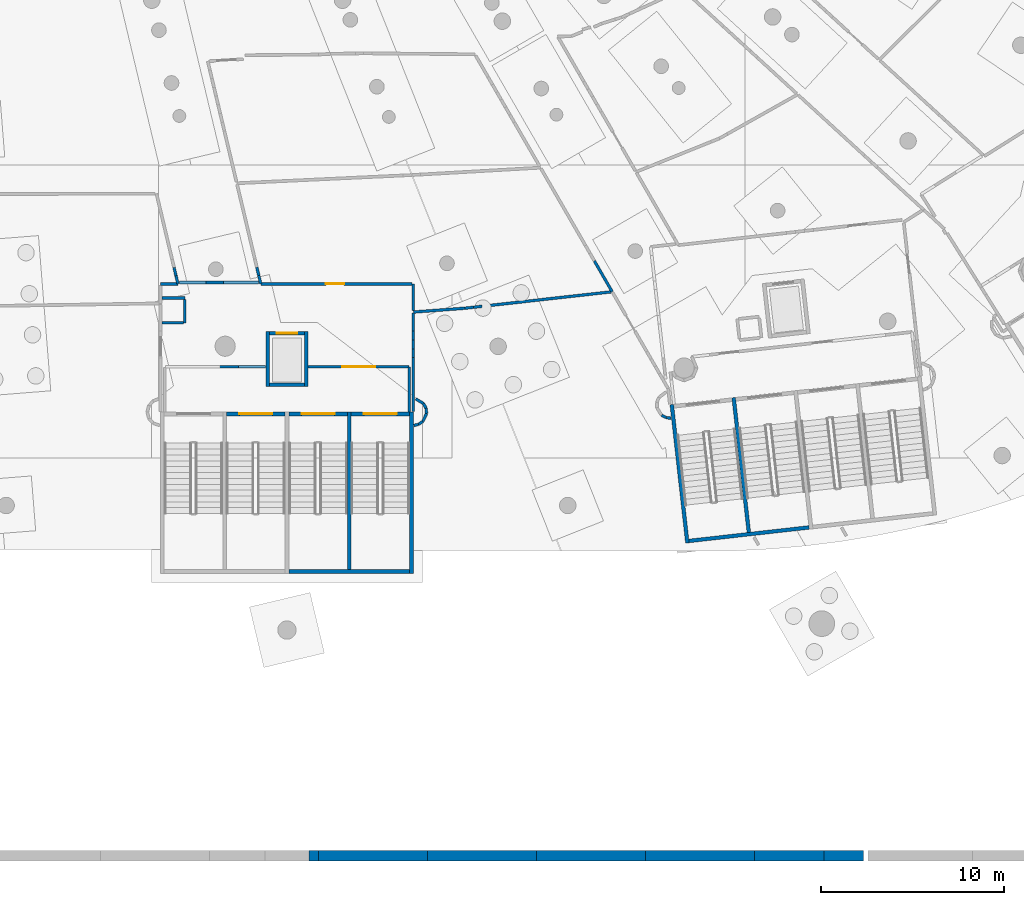
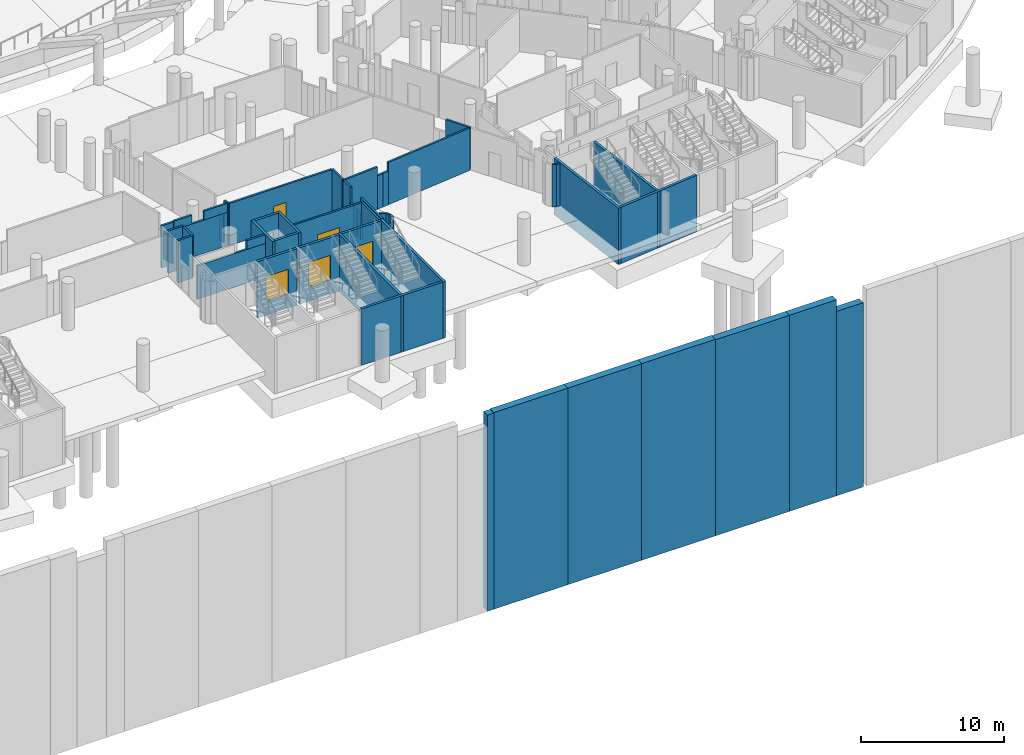
# One storey, part 51 of 142: 55 walls, 6 doors, 6 openings.
"""IFC4 building model written with IfcOpenShell, lengths in metres."""

from ifc_helpers import new_model, si_unit, direction, frame, frame_2d, origin, place, context, subcontext, project, spatial, rectangle, extrude, material, layer, layer_set, type_object, element, fill, save


model = new_model("IFC4")

# Units and contexts
model_context = context("Model", 3, precision=1e-05, world=origin(), true_north=direction((0.0, 1.0)))
body_context = subcontext(model_context, "Body", "Model", "MODEL_VIEW")
ifc_project = project(units=[si_unit("LENGTHUNIT", "METRE"), si_unit("AREAUNIT", "SQUARE_METRE"), si_unit("VOLUMEUNIT", "CUBIC_METRE"), si_unit("PLANEANGLEUNIT", "RADIAN"), si_unit("MASSUNIT", "GRAM", prefix="KILO")], contexts=[model_context])

# Site, building, storey
site_placement = place(None, origin())
site = spatial("IfcSite", under=ifc_project, at=site_placement, CompositionType="ELEMENT")
building_placement = place(site_placement, origin())
building = spatial("IfcBuilding", under=site, at=building_placement, Name="Meseta Stadium", CompositionType="ELEMENT")
storey_placement = place(building_placement, frame((0.0, 0.0, -4.0)))
storey = spatial("IfcBuildingStorey", under=building, at=storey_placement, Name="B1", CompositionType="ELEMENT", Elevation=-4.0)

# Walls
ifc_material_1 = material(Name="Concrete C40/50", Category="concrete")
ifc_layer_1 = layer(ifc_material_1, 0.199951171875)
ifc_layer_set_1 = layer_set([ifc_layer_1], Name="Core divider wall 200")
wall_type_1 = type_object("IfcWallType", Name="Core divider wall 200", PredefinedType="SHEAR", material=ifc_layer_set_1)
wall_1_placement = place(storey_placement, frame((26.39990234375, -102.300048828125, -1.199951171875), z_axis=(0.0, 0.0, 1.0), x_axis=(0.0, 1.0, 0.0)))
element("IfcWall", 1, at=wall_1_placement, inside=storey, type_object=wall_type_1, Name="Core 25 B1 stair B divider wall", PredefinedType="SHEAR", context=body_context, shape_type="SweptSolid", body=[
    extrude(rectangle(XDim=8.800048828125, YDim=0.199951171875, at=frame_2d((4.39990234375, 0.0))), origin(), (0.0, 0.0, 1.0), 4.800048828125),
])
wall_2_placement = place(storey_placement, frame((48.241943359375, -100.264892578125, -1.199951171875), z_axis=(0.0, 0.0, 1.0), x_axis=(-0.111954577255, 0.993713325176, 0.0)))
element("IfcWall", 2, at=wall_2_placement, inside=storey, type_object=wall_type_1, Name="Core 26 B1 stair A divider wall", PredefinedType="SHEAR", context=body_context, shape_type="SweptSolid", body=[
    extrude(rectangle(XDim=7.599853515625, YDim=0.199951171875, at=frame_2d((3.7998046875, 0.0))), origin(), (0.0, 0.0, 1.0), 4.800048828125),
])
ifc_material_2 = material(Name="Concrete C40/50", Category="concrete")
ifc_layer_2 = layer(ifc_material_2, 0.199951171875)
ifc_layer_set_2 = layer_set([ifc_layer_2], Name="Core shaft wall 200")
wall_type_2 = type_object("IfcWallType", Name="Core shaft wall 200", PredefinedType="SHEAR", material=ifc_layer_set_2)
wall_3_placement = place(storey_placement, frame((29.800048828125, -102.300048828125, -1.199951171875), z_axis=(0.0, 0.0, 1.0), x_axis=(0.0, 1.0, 0.0)))
element("IfcWall", 3, at=wall_3_placement, inside=storey, type_object=wall_type_2, Name="Core 25 B1 stair wall B-side", PredefinedType="SHEAR", context=body_context, shape_type="SweptSolid", body=[
    extrude(rectangle(XDim=8.800048828125, YDim=0.199951171875, at=frame_2d((4.39990234375, 0.0))), origin(), (0.0, 0.0, 1.0), 4.800048828125),
])
wall_4_placement = place(storey_placement, frame((23.10009765625, -102.199951171875, -1.199951171875), z_axis=(0.0, 0.0, 1.0), x_axis=(1.0, 0.0, 0.0)))
element("IfcWall", 4, at=wall_4_placement, inside=storey, type_object=wall_type_2, Name="Core 25 B1 stair B outer end wall", PredefinedType="SHEAR", context=body_context, shape_type="SweptSolid", body=[
    extrude(rectangle(XDim=6.599853515625, YDim=0.199951171875, at=frame_2d((3.2998046875, 0.0))), origin(), (0.0, 0.0, 1.0), 4.800048828125),
])

# Wall, opening, door
wall_5_placement = place(storey_placement, frame((19.699951171875, -93.60009765625, -1.199951171875), z_axis=(0.0, 0.0, 1.0), x_axis=(1.0, 0.0, 0.0)))
wall_5 = element("IfcWall", 5, at=wall_5_placement, inside=storey, type_object=wall_type_2, Name="Core 25 B1 stair A2 inner end wall", PredefinedType="SHEAR", context=body_context, shape_type="SweptSolid", body=[
    extrude(rectangle(XDim=3.199951171875, YDim=0.199951171875, at=frame_2d((1.60009765625, 0.0))), origin(), (0.0, 0.0, 1.0), 4.800048828125),
])
opening_1_placement = place(wall_5_placement, frame((0.699951171875, 0.0, 1.199951171875)))
opening_1 = element("IfcOpeningElement", 6, at=opening_1_placement, cuts=wall_5, Name="Opening D330", PredefinedType="OPENING", context=body_context, shape_type="SweptSolid", body=[
    extrude(rectangle(XDim=1.800048828125, YDim=2.10009765625, at=frame_2d((0.89990234375, 1.050048828125))), frame((0.0, 0.10986328125, 0.0), z_axis=(0.0, -1.0, 0.0), x_axis=(1.0, 0.0, 0.0)), (0.0, 0.0, 1.0), 0.219970703125),
])
ifc_material_3 = material(Name="Steel", Category="steel")
door_type_1 = type_object("IfcDoorType", Name="Stair door 1800x2100", OperationType="DOUBLE_DOOR_SINGLE_SWING", PredefinedType="DOOR", material=ifc_material_3)
door_1_placement = place(opening_1_placement, origin())
door_1 = element("IfcDoor", 7, at=door_1_placement, inside=storey, type_object=door_type_1, Name="Stair A2 door 25 B1", OperationType="DOUBLE_DOOR_SINGLE_SWING", OverallHeight=2.10009765625, OverallWidth=1.800048828125, PredefinedType="DOOR", context=body_context, shape_type="SweptSolid", body=[
    extrude(rectangle(XDim=1.800048828125, YDim=2.10009765625, at=frame_2d((0.89990234375, 1.050048828125))), frame((0.0, 0.02490234375, 0.0), z_axis=(0.0, -1.0, 0.0), x_axis=(1.0, 0.0, 0.0)), (0.0, 0.0, 1.0), 0.050048828125),
])
fill(opening_1, door_1)

wall_6_placement = place(storey_placement, frame((23.10009765625, -93.60009765625, -1.199951171875), z_axis=(0.0, 0.0, 1.0), x_axis=(1.0, 0.0, 0.0)))
wall_6 = element("IfcWall", 8, at=wall_6_placement, inside=storey, type_object=wall_type_2, Name="Core 25 B1 stair B1 inner end wall", PredefinedType="SHEAR", context=body_context, shape_type="SweptSolid", body=[
    extrude(rectangle(XDim=3.199951171875, YDim=0.199951171875, at=frame_2d((1.60009765625, 0.0))), origin(), (0.0, 0.0, 1.0), 4.800048828125),
])
opening_2_placement = place(wall_6_placement, frame((0.699951171875, 0.0, 1.199951171875)))
opening_2 = element("IfcOpeningElement", 9, at=opening_2_placement, cuts=wall_6, Name="Opening D331", PredefinedType="OPENING", context=body_context, shape_type="SweptSolid", body=[
    extrude(rectangle(XDim=1.800048828125, YDim=2.10009765625, at=frame_2d((0.89990234375, 1.050048828125))), frame((0.0, 0.10986328125, 0.0), z_axis=(0.0, -1.0, 0.0), x_axis=(1.0, 0.0, 0.0)), (0.0, 0.0, 1.0), 0.219970703125),
])
door_2_placement = place(opening_2_placement, origin())
door_2 = element("IfcDoor", 10, at=door_2_placement, inside=storey, type_object=door_type_1, Name="Stair B1 door 25 B1", OperationType="DOUBLE_DOOR_SINGLE_SWING", OverallHeight=2.10009765625, OverallWidth=1.800048828125, PredefinedType="DOOR", context=body_context, shape_type="SweptSolid", body=[
    extrude(rectangle(XDim=1.800048828125, YDim=2.10009765625, at=frame_2d((0.89990234375, 1.050048828125))), frame((0.0, 0.02490234375, 0.0), z_axis=(0.0, -1.0, 0.0), x_axis=(1.0, 0.0, 0.0)), (0.0, 0.0, 1.0), 0.050048828125),
])
fill(opening_2, door_2)

wall_7_placement = place(storey_placement, frame((26.5, -93.60009765625, -1.199951171875), z_axis=(0.0, 0.0, 1.0), x_axis=(1.0, 0.0, 0.0)))
wall_7 = element("IfcWall", 11, at=wall_7_placement, inside=storey, type_object=wall_type_2, Name="Core 25 B1 stair B2 inner end wall", PredefinedType="SHEAR", context=body_context, shape_type="SweptSolid", body=[
    extrude(rectangle(XDim=3.199951171875, YDim=0.199951171875, at=frame_2d((1.60009765625, 0.0))), origin(), (0.0, 0.0, 1.0), 4.800048828125),
])
opening_3_placement = place(wall_7_placement, frame((0.699951171875, 0.0, 1.199951171875)))
opening_3 = element("IfcOpeningElement", 12, at=opening_3_placement, cuts=wall_7, Name="Opening D332", PredefinedType="OPENING", context=body_context, shape_type="SweptSolid", body=[
    extrude(rectangle(XDim=1.800048828125, YDim=2.10009765625, at=frame_2d((0.89990234375, 1.050048828125))), frame((0.0, 0.10986328125, 0.0), z_axis=(0.0, -1.0, 0.0), x_axis=(1.0, 0.0, 0.0)), (0.0, 0.0, 1.0), 0.219970703125),
])
door_3_placement = place(opening_3_placement, origin())
door_3 = element("IfcDoor", 13, at=door_3_placement, inside=storey, type_object=door_type_1, Name="Stair B2 door 25 B1", OperationType="DOUBLE_DOOR_SINGLE_SWING", OverallHeight=2.10009765625, OverallWidth=1.800048828125, PredefinedType="DOOR", context=body_context, shape_type="SweptSolid", body=[
    extrude(rectangle(XDim=1.800048828125, YDim=2.10009765625, at=frame_2d((0.89990234375, 1.050048828125))), frame((0.0, 0.02490234375, 0.0), z_axis=(0.0, -1.0, 0.0), x_axis=(1.0, 0.0, 0.0)), (0.0, 0.0, 1.0), 0.050048828125),
])
fill(opening_3, door_3)

# Walls
for number, where, z_axis, x_axis, name in (
    (14, (21.949951171875, -92.10009765625, -1.199951171875), (0.0, 0.0, 1.0), (0.0, 1.0, 0.0), "Core 25 B1 lift shaft wall left"),
    (15, (24.050048828125, -92.10009765625, -1.199951171875), (0.0, 0.0, 1.0), (0.0, 1.0, 0.0), "Core 25 B1 lift shaft wall right"),
):
    element("IfcWall", number, at=place(storey_placement, frame(where, z_axis=z_axis, x_axis=x_axis)), inside=storey, type_object=wall_type_2, Name=name, PredefinedType="SHEAR", context=body_context, shape_type="SweptSolid", body=[
        extrude(rectangle(XDim=3.0, YDim=0.199951171875, at=frame_2d((1.5, 0.0))), origin(), (0.0, 0.0, 1.0), 4.800048828125),
    ])
wall_8_placement = place(storey_placement, frame((22.050048828125, -92.0, -1.199951171875), z_axis=(0.0, 0.0, 1.0), x_axis=(1.0, 0.0, 0.0)))
element("IfcWall", 16, at=wall_8_placement, inside=storey, type_object=wall_type_2, Name="Core 25 B1 lift shaft back wall", PredefinedType="SHEAR", context=body_context, shape_type="SweptSolid", body=[
    extrude(rectangle(XDim=1.89990234375, YDim=0.199951171875, at=frame_2d((0.949951171875, 0.0))), origin(), (0.0, 0.0, 1.0), 4.800048828125),
])

# Wall, opening, door
wall_9_placement = place(storey_placement, frame((22.050048828125, -89.199951171875, -1.199951171875), z_axis=(0.0, 0.0, 1.0), x_axis=(1.0, 0.0, 0.0)))
wall_9 = element("IfcWall", 17, at=wall_9_placement, inside=storey, type_object=wall_type_2, Name="Core 25 B1 lift shaft front wall", PredefinedType="SHEAR", context=body_context, shape_type="SweptSolid", body=[
    extrude(rectangle(XDim=1.89990234375, YDim=0.199951171875, at=frame_2d((0.949951171875, 0.0))), origin(), (0.0, 0.0, 1.0), 4.800048828125),
])
opening_4_placement = place(wall_9_placement, frame((0.39990234375, 0.0, 1.199951171875)))
opening_4 = element("IfcOpeningElement", 18, at=opening_4_placement, cuts=wall_9, Name="Opening LD135", PredefinedType="OPENING", context=body_context, shape_type="SweptSolid", body=[
    extrude(rectangle(XDim=1.10009765625, YDim=2.10009765625, at=frame_2d((0.550048828125, 1.050048828125))), frame((0.0, 0.10986328125, 0.0), z_axis=(0.0, -1.0, 0.0), x_axis=(1.0, 0.0, 0.0)), (0.0, 0.0, 1.0), 0.219970703125),
])
ifc_material_4 = material(Name="Steel", Category="steel")
door_type_2 = type_object("IfcDoorType", Name="Lift landing door 1100x2100", OperationType="SLIDING_TO_LEFT", PredefinedType="DOOR", material=ifc_material_4)
door_4_placement = place(opening_4_placement, origin())
door_4 = element("IfcDoor", 19, at=door_4_placement, inside=storey, type_object=door_type_2, Name="Lift landing door LD135", OperationType="SLIDING_TO_LEFT", OverallHeight=2.10009765625, OverallWidth=1.10009765625, PredefinedType="DOOR", context=body_context, shape_type="SweptSolid", body=[
    extrude(rectangle(XDim=1.10009765625, YDim=2.10009765625, at=frame_2d((0.550048828125, 1.050048828125))), frame((0.0, 0.02490234375, 0.0), z_axis=(0.0, -1.0, 0.0), x_axis=(1.0, 0.0, 0.0)), (0.0, 0.0, 1.0), 0.050048828125),
])
fill(opening_4, door_4)

# Walls
wall_10_placement = place(storey_placement, frame((44.86328125, -100.645751953125, -1.199951171875), z_axis=(0.0, 0.0, 1.0), x_axis=(-0.111951003472, 0.993713727802, 0.0)))
element("IfcWall", 20, at=wall_10_placement, inside=storey, type_object=wall_type_2, Name="Core 26 B1 stair wall A-side", PredefinedType="SHEAR", context=body_context, shape_type="SweptSolid", body=[
    extrude(rectangle(XDim=7.60009765625, YDim=0.199951171875, at=frame_2d((3.800048828125, 0.0))), origin(), (0.0, 0.0, 1.0), 4.800048828125),
])
wall_11_placement = place(storey_placement, frame((44.951416015625, -100.53515625, -1.199951171875), z_axis=(0.0, 0.0, 1.0), x_axis=(0.993711575492, 0.111970106426, 0.0)))
element("IfcWall", 21, at=wall_11_placement, inside=storey, type_object=wall_type_2, Name="Core 26 B1 stair A outer end wall", PredefinedType="SHEAR", context=body_context, shape_type="SweptSolid", body=[
    extrude(rectangle(XDim=6.60009765625, YDim=0.199951171875, at=frame_2d((3.300048828125, 0.0))), origin(), (0.0, 0.0, 1.0), 4.800048828125),
])
ifc_material_5 = material(Name="Masonry blockwork", Category="masonry")
ifc_layer_3 = layer(ifc_material_5, 0.14990234375)
ifc_layer_set_3 = layer_set([ifc_layer_3], Name="Partition 150")
wall_type_3 = type_object("IfcWallType", Name="Partition 150", PredefinedType="PARTITIONING", material=ifc_layer_set_3)
wall_12_placement = place(storey_placement, frame((16.8349609375, -85.605224609375, 0.0), z_axis=(0.0, 0.0, 1.0), x_axis=(0.231524805806, -0.972829000542, 0.0)))
element("IfcWall", 22, at=wall_12_placement, inside=storey, type_object=wall_type_3, Name="Partition B1 B1-cell23-1-0", PredefinedType="PARTITIONING", context=body_context, shape_type="SweptSolid", body=[
    extrude(rectangle(XDim=0.459716796875, YDim=0.14990234375, at=frame_2d((0.22998046875, 0.0))), origin(), (0.0, 0.0, 1.0), 2.300048828125),
])
wall_13_placement = place(storey_placement, frame((16.94140625, -86.052490234375, 0.0), z_axis=(0.0, 0.0, 1.0), x_axis=(0.231907494809, -0.972737844361, 0.0)))
element("IfcWall", 23, at=wall_13_placement, inside=storey, type_object=wall_type_3, Name="Partition B1 B1-cell23-1-0", PredefinedType="PARTITIONING", context=body_context, shape_type="SweptSolid", body=[
    extrude(rectangle(XDim=0.4599609375, YDim=0.14990234375, at=frame_2d((0.22998046875, 0.0))), origin(), (0.0, 0.0, 1.0), 2.300048828125),
])
wall_14_placement = place(storey_placement, frame((17.048095703125, -86.5, 0.0), z_axis=(0.0, 0.0, 1.0), x_axis=(-1.0, 0.0, 0.0)))
element("IfcWall", 24, at=wall_14_placement, inside=storey, type_object=wall_type_3, Name="Partition B1 B1-cell23-1-0", PredefinedType="PARTITIONING", context=body_context, shape_type="SweptSolid", body=[
    extrude(rectangle(XDim=0.947998046875, YDim=0.14990234375, at=frame_2d((0.47412109375, 0.0))), origin(), (0.0, 0.0, 1.0), 3.60009765625),
])
wall_15_placement = place(storey_placement, frame((39.78564453125, -85.24560546875, 0.0), z_axis=(0.0, 0.0, 1.0), x_axis=(0.500352922439, -0.865821548015, 0.0)))
element("IfcWall", 25, at=wall_15_placement, inside=storey, type_object=wall_type_3, Name="Partition B1 B1-cell24-2-0", PredefinedType="PARTITIONING", context=body_context, shape_type="SweptSolid", body=[
    extrude(rectangle(XDim=1.94384765625, YDim=0.14990234375, at=frame_2d((0.971923828125, 0.0))), origin(), (0.0, 0.0, 1.0), 3.60009765625),
])
wall_16_placement = place(storey_placement, frame((40.677001953125, -86.937744140625, 0.0), z_axis=(0.0, 0.0, 1.0), x_axis=(-0.993791931288, -0.11125465072, 0.0)))
element("IfcWall", 26, at=wall_16_placement, inside=storey, type_object=wall_type_3, Name="Partition B1 B1-cell24-2-0", PredefinedType="PARTITIONING", context=body_context, shape_type="SweptSolid", body=[
    extrude(rectangle(XDim=7.06396484375, YDim=0.14990234375, at=frame_2d((3.531982421875, 0.0))), origin(), (0.0, 0.0, 1.0), 3.60009765625),
])
for number, where, z_axis, x_axis, name in (
    (27, (33.656982421875, -87.7236328125, 0.0), (0.0, 0.0, 1.0), (-0.993795917507, -0.111219037699, 0.0), "Partition B1 B1-cell24-2-0"),
    (28, (33.18359375, -87.776611328125, 0.0), (0.0, 0.0, 1.0), (-0.993795917507, -0.111219037699, 0.0), "Partition B1 B1-cell24-2-0"),
):
    element("IfcWall", number, at=place(storey_placement, frame(where, z_axis=z_axis, x_axis=x_axis)), inside=storey, type_object=wall_type_3, Name=name, PredefinedType="PARTITIONING", context=body_context, shape_type="SweptSolid", body=[
        extrude(rectangle(XDim=0.476318359375, YDim=0.14990234375, at=frame_2d((0.23828125, 0.0))), origin(), (0.0, 0.0, 1.0), 2.85009765625),
    ])
wall_17_placement = place(storey_placement, frame((32.710205078125, -87.82958984375, 0.0), z_axis=(0.0, 0.0, 1.0), x_axis=(-0.997265626559, -0.07390040652, 0.0)))
element("IfcWall", 29, at=wall_17_placement, inside=storey, type_object=wall_type_3, Name="Partition B1 B1-cell24-2-0", PredefinedType="PARTITIONING", context=body_context, shape_type="SweptSolid", body=[
    extrude(rectangle(XDim=2.818115234375, YDim=0.14990234375, at=frame_2d((1.4091796875, 0.0))), origin(), (0.0, 0.0, 1.0), 3.60009765625),
])
wall_18_placement = place(storey_placement, frame((29.89990234375, -87.962646484375, 0.0), z_axis=(0.0, 0.0, 1.0), x_axis=(0.0, 1.0, 0.0)))
element("IfcWall", 30, at=wall_18_placement, inside=storey, type_object=wall_type_3, Name="Partition B1 B1-cell24-2-0", PredefinedType="PARTITIONING", context=body_context, shape_type="SweptSolid", body=[
    extrude(rectangle(XDim=1.462646484375, YDim=0.14990234375, at=frame_2d((0.7314453125, 0.0))), origin(), (0.0, 0.0, 1.0), 3.60009765625),
])

# Wall, opening, door
wall_19_placement = place(storey_placement, frame((29.824951171875, -86.5, 0.0), z_axis=(0.0, 0.0, 1.0), x_axis=(-1.0, 0.0, 0.0)))
wall_19 = element("IfcWall", 31, at=wall_19_placement, inside=storey, type_object=wall_type_3, Name="Partition B1 B1-cell24-2-0", PredefinedType="PARTITIONING", context=body_context, shape_type="SweptSolid", body=[
    extrude(rectangle(XDim=8.25390625, YDim=0.14990234375, at=frame_2d((4.126953125, 0.0))), origin(), (0.0, 0.0, 1.0), 3.60009765625),
])
opening_5_placement = place(wall_19_placement, frame((3.699951171875, 0.0, 0.0)))
opening_5 = element("IfcOpeningElement", 32, at=opening_5_placement, cuts=wall_19, Name="Opening D502", PredefinedType="OPENING", context=body_context, shape_type="SweptSolid", body=[
    extrude(rectangle(XDim=1.0, YDim=2.10009765625, at=frame_2d((0.5, 1.050048828125))), frame((0.0, 0.0849609375, 0.0), z_axis=(0.0, -1.0, 0.0), x_axis=(1.0, 0.0, 0.0)), (0.0, 0.0, 1.0), 0.169921875),
])
ifc_material_6 = material(Name="Steel", Category="steel")
door_type_3 = type_object("IfcDoorType", Name="Fire door 1000x2100 EI2 120", OperationType="NOTDEFINED", PredefinedType="DOOR", material=ifc_material_6)
door_5_placement = place(opening_5_placement, origin())
door_5 = element("IfcDoor", 33, at=door_5_placement, inside=storey, type_object=door_type_3, Name="Door D502", OperationType="SINGLE_SWING_RIGHT", OverallHeight=2.10009765625, OverallWidth=1.0, PredefinedType="DOOR", context=body_context, shape_type="SweptSolid", body=[
    extrude(rectangle(XDim=1.0, YDim=2.10009765625, at=frame_2d((0.5, 1.050048828125))), frame((0.0, 0.02490234375, 0.0), z_axis=(0.0, -1.0, 0.0), x_axis=(1.0, 0.0, 0.0)), (0.0, 0.0, 1.0), 0.050048828125),
])
fill(opening_5, door_5)

# Walls
wall_20_placement = place(storey_placement, frame((21.571044921875, -86.5, 0.0), z_axis=(0.0, 0.0, 1.0), x_axis=(-0.231809170102, 0.972761280406, 0.0)))
element("IfcWall", 34, at=wall_20_placement, inside=storey, type_object=wall_type_3, Name="Partition B1 B1-cell24-2-0", PredefinedType="PARTITIONING", context=body_context, shape_type="SweptSolid", body=[
    extrude(rectangle(XDim=0.466552734375, YDim=0.14990234375, at=frame_2d((0.2333984375, 0.0))), origin(), (0.0, 0.0, 1.0), 3.60009765625),
])
wall_21_placement = place(storey_placement, frame((21.462890625, -86.046142578125, 0.0), z_axis=(0.0, 0.0, 1.0), x_axis=(-0.231313927033, 0.972879163699, 0.0)))
element("IfcWall", 35, at=wall_21_placement, inside=storey, type_object=wall_type_3, Name="Partition B1 B1-cell24-2-0", PredefinedType="PARTITIONING", context=body_context, shape_type="SweptSolid", body=[
    extrude(rectangle(XDim=0.466552734375, YDim=0.14990234375, at=frame_2d((0.2333984375, 0.0))), origin(), (0.0, 0.0, 1.0), 2.300048828125),
])
wall_22_placement = place(storey_placement, frame((29.89990234375, -93.4599609375, 0.0), z_axis=(0.0, 0.0, 1.0), x_axis=(0.0, 1.0, 0.0)))
element("IfcWall", 36, at=wall_22_placement, inside=storey, type_object=wall_type_3, Name="Partition B1 B1-cell24-3-0", PredefinedType="PARTITIONING", context=body_context, shape_type="SweptSolid", body=[
    extrude(rectangle(XDim=2.93017578125, YDim=0.14990234375, at=frame_2d((1.465087890625, 0.0))), origin(), (0.0, 0.0, 1.0), 3.60009765625),
])
wall_23_placement = place(storey_placement, frame((29.89990234375, -90.52978515625, 0.0), z_axis=(0.0, 0.0, 1.0), x_axis=(0.0, 1.0, 0.0)))
element("IfcWall", 37, at=wall_23_placement, inside=storey, type_object=wall_type_3, Name="Partition B1 B1-cell24-3-0", PredefinedType="PARTITIONING", context=body_context, shape_type="SweptSolid", body=[
    extrude(rectangle(XDim=0.488525390625, YDim=0.14990234375, at=frame_2d((0.244140625, 0.0))), origin(), (0.0, 0.0, 1.0), 2.300048828125),
])
wall_24_placement = place(storey_placement, frame((29.89990234375, -90.041259765625, 0.0), z_axis=(0.0, 0.0, 1.0), x_axis=(0.0, 1.0, 0.0)))
element("IfcWall", 38, at=wall_24_placement, inside=storey, type_object=wall_type_3, Name="Partition B1 B1-cell24-3-0", PredefinedType="PARTITIONING", context=body_context, shape_type="SweptSolid", body=[
    extrude(rectangle(XDim=0.48828125, YDim=0.14990234375, at=frame_2d((0.244140625, 0.0))), origin(), (0.0, 0.0, 1.0), 2.300048828125),
])
wall_25_placement = place(storey_placement, frame((29.89990234375, -89.552978515625, 0.0), z_axis=(0.0, 0.0, 1.0), x_axis=(0.0, 1.0, 0.0)))
element("IfcWall", 39, at=wall_25_placement, inside=storey, type_object=wall_type_3, Name="Partition B1 B1-cell24-3-0", PredefinedType="PARTITIONING", context=body_context, shape_type="SweptSolid", body=[
    extrude(rectangle(XDim=0.488525390625, YDim=0.14990234375, at=frame_2d((0.244140625, 0.0))), origin(), (0.0, 0.0, 1.0), 2.300048828125),
])
wall_26_placement = place(storey_placement, frame((29.89990234375, -89.064453125, 0.0), z_axis=(0.0, 0.0, 1.0), x_axis=(0.0, 1.0, 0.0)))
element("IfcWall", 40, at=wall_26_placement, inside=storey, type_object=wall_type_3, Name="Partition B1 B1-cell24-3-0", PredefinedType="PARTITIONING", context=body_context, shape_type="SweptSolid", body=[
    extrude(rectangle(XDim=0.976806640625, YDim=0.14990234375, at=frame_2d((0.48828125, 0.0))), origin(), (0.0, 0.0, 1.0), 3.60009765625),
])
wall_27_placement = place(storey_placement, frame((16.176025390625, -88.625, 0.0), z_axis=(0.0, 0.0, 1.0), x_axis=(1.0, 0.0, 0.0)))
element("IfcWall", 41, at=wall_27_placement, inside=storey, type_object=wall_type_3, Name="Pressurisation shaft wall B1 core 25", PredefinedType="PARTITIONING", context=body_context, shape_type="SweptSolid", body=[
    extrude(rectangle(XDim=1.174072265625, YDim=0.14990234375, at=frame_2d((0.5869140625, 0.0))), origin(), (0.0, 0.0, 1.0), 3.60009765625),
])
wall_28_placement = place(storey_placement, frame((17.425048828125, -88.625, 0.0), z_axis=(0.0, 0.0, 1.0), x_axis=(0.0, 1.0, 0.0)))
element("IfcWall", 42, at=wall_28_placement, inside=storey, type_object=wall_type_3, Name="Pressurisation shaft wall B1 core 25", PredefinedType="PARTITIONING", context=body_context, shape_type="SweptSolid", body=[
    extrude(rectangle(XDim=1.27490234375, YDim=0.14990234375, at=frame_2d((0.637451171875, 0.0))), origin(), (0.0, 0.0, 1.0), 3.60009765625),
])
wall_29_placement = place(storey_placement, frame((17.425048828125, -87.27490234375, 0.0), z_axis=(0.0, 0.0, 1.0), x_axis=(-1.0, 0.0, 0.0)))
element("IfcWall", 43, at=wall_29_placement, inside=storey, type_object=wall_type_3, Name="Pressurisation shaft wall B1 core 25", PredefinedType="PARTITIONING", context=body_context, shape_type="SweptSolid", body=[
    extrude(rectangle(XDim=1.2490234375, YDim=0.14990234375, at=frame_2d((0.62451171875, 0.0))), origin(), (0.0, 0.0, 1.0), 3.60009765625),
])
wall_30_placement = place(storey_placement, frame((29.675048828125, -93.489990234375, 0.0), z_axis=(0.0, 0.0, 1.0), x_axis=(0.0, 1.0, 0.0)))
element("IfcWall", 44, at=wall_30_placement, inside=storey, type_object=wall_type_3, Name="Stair vestibule wall B1 core 25", PredefinedType="PARTITIONING", context=body_context, shape_type="SweptSolid", body=[
    extrude(rectangle(XDim=2.465087890625, YDim=0.14990234375, at=frame_2d((1.232421875, 0.0))), origin(), (0.0, 0.0, 1.0), 3.60009765625),
])

# Wall, opening, door
wall_31_placement = place(storey_placement, frame((29.675048828125, -91.02490234375, 0.0), z_axis=(0.0, 0.0, 1.0), x_axis=(-1.0, 0.0, 0.0)))
wall_31 = element("IfcWall", 45, at=wall_31_placement, inside=storey, type_object=wall_type_3, Name="Stair vestibule wall B1 core 25", PredefinedType="PARTITIONING", context=body_context, shape_type="SweptSolid", body=[
    extrude(rectangle(XDim=5.51513671875, YDim=0.14990234375, at=frame_2d((2.757568359375, 0.0))), origin(), (0.0, 0.0, 1.0), 3.60009765625),
])
opening_6_placement = place(wall_31_placement, frame((1.85009765625, 0.0, 0.0)))
opening_6 = element("IfcOpeningElement", 46, at=opening_6_placement, cuts=wall_31, Name="Opening D739", PredefinedType="OPENING", context=body_context, shape_type="SweptSolid", body=[
    extrude(rectangle(XDim=1.800048828125, YDim=2.10009765625, at=frame_2d((0.89990234375, 1.050048828125))), frame((0.0, 0.0849609375, 0.0), z_axis=(0.0, -1.0, 0.0), x_axis=(1.0, 0.0, 0.0)), (0.0, 0.0, 1.0), 0.169921875),
])
ifc_material_7 = material(Name="Steel", Category="steel")
door_type_4 = type_object("IfcDoorType", Name="Fire double door 1800x2100 EI2 60", OperationType="DOUBLE_DOOR_SINGLE_SWING", PredefinedType="DOOR", material=ifc_material_7)
door_6_placement = place(opening_6_placement, origin())
door_6 = element("IfcDoor", 47, at=door_6_placement, inside=storey, type_object=door_type_4, Name="Stair vestibule door B1 core 25", OperationType="DOUBLE_DOOR_SINGLE_SWING", OverallHeight=2.10009765625, OverallWidth=1.800048828125, PredefinedType="DOOR", context=body_context, shape_type="SweptSolid", body=[
    extrude(rectangle(XDim=1.800048828125, YDim=2.10009765625, at=frame_2d((0.89990234375, 1.050048828125))), frame((0.0, 0.02490234375, 0.0), z_axis=(0.0, -1.0, 0.0), x_axis=(1.0, 0.0, 0.0)), (0.0, 0.0, 1.0), 0.050048828125),
])
fill(opening_6, door_6)

# Walls
wall_32_placement = place(storey_placement, frame((21.840087890625, -91.02490234375, 0.0), z_axis=(0.0, 0.0, 1.0), x_axis=(-1.0, 0.0, 0.0)))
element("IfcWall", 48, at=wall_32_placement, inside=storey, type_object=wall_type_3, Name="Stair vestibule wall B1 core 25", PredefinedType="PARTITIONING", context=body_context, shape_type="SweptSolid", body=[
    extrude(rectangle(XDim=5.47998046875, YDim=0.14990234375, at=frame_2d((2.739990234375, 0.0))), origin(), (0.0, 0.0, 1.0), 2.85009765625),
])
wall_33_placement = place(storey_placement, frame((21.840087890625, -91.02490234375, 2.85009765625), z_axis=(0.0, 0.0, 1.0), x_axis=(-1.0, 0.0, 0.0)))
element("IfcWall", 49, at=wall_33_placement, inside=storey, type_object=wall_type_3, Name="Stair vestibule wall B1 core 25", PredefinedType="PARTITIONING", context=body_context, shape_type="SweptSolid", body=[
    extrude(rectangle(XDim=1.49462890625, YDim=0.14990234375, at=frame_2d((0.747314453125, 0.0))), origin(), (0.0, 0.0, 1.0), 0.75),
])
wall_34_placement = place(storey_placement, frame((29.928466796875, -94.229736328125, 0.0), z_axis=(0.0, 0.0, 1.0), x_axis=(0.973130593004, 0.230253879357, 0.0)))
element("IfcWall", 50, at=wall_34_placement, inside=storey, type_object=wall_type_3, Name="Stair vestibule wall B1 core 25", PredefinedType="PARTITIONING", context=body_context, shape_type="SweptSolid", body=[
    extrude(rectangle(XDim=0.257568359375, YDim=0.14990234375, at=frame_2d((0.12890625, 0.0))), origin(), (0.0, 0.0, 1.0), 3.60009765625),
])
wall_35_placement = place(storey_placement, frame((30.17919921875, -94.17041015625, 0.0), z_axis=(0.0, 0.0, 1.0), x_axis=(0.831397130511, 0.555678694372, 0.0)))
element("IfcWall", 51, at=wall_35_placement, inside=storey, type_object=wall_type_3, Name="Stair vestibule wall B1 core 25", PredefinedType="PARTITIONING", context=body_context, shape_type="SweptSolid", body=[
    extrude(rectangle(XDim=0.287841796875, YDim=0.14990234375, at=frame_2d((0.14404296875, 0.0))), origin(), (0.0, 0.0, 1.0), 3.60009765625),
])
wall_36_placement = place(storey_placement, frame((30.41845703125, -94.010498046875, 0.0), z_axis=(0.0, 0.0, 1.0), x_axis=(0.427757963167, 0.903893315025, 0.0)))
element("IfcWall", 52, at=wall_36_placement, inside=storey, type_object=wall_type_3, Name="Stair vestibule wall B1 core 25", PredefinedType="PARTITIONING", context=body_context, shape_type="SweptSolid", body=[
    extrude(rectangle(XDim=0.4794921875, YDim=0.14990234375, at=frame_2d((0.23974609375, 0.0))), origin(), (0.0, 0.0, 1.0), 3.60009765625),
])
wall_37_placement = place(storey_placement, frame((30.62353515625, -93.5771484375, 0.0), z_axis=(0.0, 0.0, 1.0), x_axis=(-0.0978334953, 0.99520279702, 0.0)))
element("IfcWall", 53, at=wall_37_placement, inside=storey, type_object=wall_type_3, Name="Stair vestibule wall B1 core 25", PredefinedType="PARTITIONING", context=body_context, shape_type="SweptSolid", body=[
    extrude(rectangle(XDim=0.28955078125, YDim=0.14990234375, at=frame_2d((0.144775390625, 0.0))), origin(), (0.0, 0.0, 1.0), 3.60009765625),
])
wall_38_placement = place(storey_placement, frame((30.59521484375, -93.2890625, 0.0), z_axis=(0.0, 0.0, 1.0), x_axis=(-0.471682765858, 0.881768319, 0.0)))
element("IfcWall", 54, at=wall_38_placement, inside=storey, type_object=wall_type_3, Name="Stair vestibule wall B1 core 25", PredefinedType="PARTITIONING", context=body_context, shape_type="SweptSolid", body=[
    extrude(rectangle(XDim=0.289306640625, YDim=0.14990234375, at=frame_2d((0.14453125, 0.0))), origin(), (0.0, 0.0, 1.0), 3.60009765625),
])
wall_39_placement = place(storey_placement, frame((30.458740234375, -93.033935546875, 0.0), z_axis=(0.0, 0.0, 1.0), x_axis=(-0.85856712863, 0.512701166017, 0.0)))
element("IfcWall", 55, at=wall_39_placement, inside=storey, type_object=wall_type_3, Name="Stair vestibule wall B1 core 25", PredefinedType="PARTITIONING", context=body_context, shape_type="SweptSolid", body=[
    extrude(rectangle(XDim=0.50048828125, YDim=0.14990234375, at=frame_2d((0.250244140625, 0.0))), origin(), (0.0, 0.0, 1.0), 3.60009765625),
])
wall_40_placement = place(storey_placement, frame((21.457275390625, -86.425048828125, 0.0), z_axis=(0.0, 0.0, 1.0), x_axis=(-1.0, 0.0, 0.0)))
element("IfcWall", 56, at=wall_40_placement, inside=storey, type_object=wall_type_3, Name="Stair vestibule wall B1 core 25", PredefinedType="PARTITIONING", context=body_context, shape_type="SweptSolid", body=[
    extrude(rectangle(XDim=4.32958984375, YDim=0.14990234375, at=frame_2d((2.164794921875, 0.0))), origin(), (0.0, 0.0, 1.0), 2.85009765625),
])
wall_41_placement = place(storey_placement, frame((21.457275390625, -86.425048828125, 2.85009765625), z_axis=(0.0, 0.0, 1.0), x_axis=(-1.0, 0.0, 0.0)))
element("IfcWall", 57, at=wall_41_placement, inside=storey, type_object=wall_type_3, Name="Stair vestibule wall B1 core 25", PredefinedType="PARTITIONING", context=body_context, shape_type="SweptSolid", body=[
    extrude(rectangle(XDim=1.91015625, YDim=0.14990234375, at=frame_2d((0.955078125, 0.0))), origin(), (0.0, 0.0, 1.0), 0.75),
])
wall_42_placement = place(storey_placement, frame((18.579345703125, -86.425048828125, 2.85009765625), z_axis=(0.0, 0.0, 1.0), x_axis=(-1.0, 0.0, 0.0)))
element("IfcWall", 58, at=wall_42_placement, inside=storey, type_object=wall_type_3, Name="Stair vestibule wall B1 core 25", PredefinedType="PARTITIONING", context=body_context, shape_type="SweptSolid", body=[
    extrude(rectangle(XDim=1.45166015625, YDim=0.14990234375, at=frame_2d((0.725830078125, 0.0))), origin(), (0.0, 0.0, 1.0), 0.75),
])
wall_43_placement = place(storey_placement, frame((43.454833984375, -93.669921875, 0.0), z_axis=(0.0, 0.0, 1.0), x_axis=(0.888587212909, -0.458707712007, 0.0)))
element("IfcWall", 59, at=wall_43_placement, inside=storey, type_object=wall_type_3, Name="Stair vestibule wall B1 core 26", PredefinedType="PARTITIONING", context=body_context, shape_type="SweptSolid", body=[
    extrude(rectangle(XDim=0.287841796875, YDim=0.14990234375, at=frame_2d((0.14404296875, 0.0))), origin(), (0.0, 0.0, 1.0), 3.60009765625),
])
wall_44_placement = place(storey_placement, frame((43.710693359375, -93.802001953125, 0.0), z_axis=(0.0, 0.0, 1.0), x_axis=(0.992737210656, -0.120303078009, 0.0)))
element("IfcWall", 60, at=wall_44_placement, inside=storey, type_object=wall_type_3, Name="Stair vestibule wall B1 core 26", PredefinedType="PARTITIONING", context=body_context, shape_type="SweptSolid", body=[
    extrude(rectangle(XDim=0.2578125, YDim=0.14990234375, at=frame_2d((0.12890625, 0.0))), origin(), (0.0, 0.0, 1.0), 3.60009765625),
])
ifc_material_8 = material(Name="Concrete C30/37", Category="concrete")
ifc_layer_4 = layer(ifc_material_8, 0.550048828125)
ifc_layer_set_4 = layer_set([ifc_layer_4], Name="Site retaining wall 550")
wall_type_4 = type_object("IfcWallType", Name="Site retaining wall 550", PredefinedType="SOLIDWALL", material=ifc_layer_set_4)
wall_45_placement = place(storey_placement, frame((24.199951171875, -117.72509765625, -13.0), z_axis=(0.0, 0.0, 1.0), x_axis=(1.0, 0.0, 0.0)))
element("IfcWall", 61, at=wall_45_placement, inside=storey, type_object=wall_type_4, Name="Site retaining wall 33", PredefinedType="SOLIDWALL", context=body_context, shape_type="SweptSolid", body=[
    extrude(rectangle(XDim=0.51416015625, YDim=0.550048828125, at=frame_2d((0.257080078125, 0.0))), origin(), (0.0, 0.0, 1.0), 16.699951171875),
])
for number, where, z_axis, x_axis, name in (
    (62, (24.714111328125, -117.72509765625, -13.0), (0.0, 0.0, 1.0), (1.0, 0.0, 0.0), "Site retaining wall 34"),
    (63, (30.66650390625, -117.72509765625, -13.0), (0.0, 0.0, 1.0), (1.0, 0.0, 0.0), "Site retaining wall 35"),
    (64, (36.618896484375, -117.72509765625, -13.0), (0.0, 0.0, 1.0), (1.0, 0.0, 0.0), "Site retaining wall 36"),
):
    element("IfcWall", number, at=place(storey_placement, frame(where, z_axis=z_axis, x_axis=x_axis)), inside=storey, type_object=wall_type_4, Name=name, PredefinedType="SOLIDWALL", context=body_context, shape_type="SweptSolid", body=[
        extrude(rectangle(XDim=5.952392578125, YDim=0.550048828125, at=frame_2d((2.97607421875, 0.0))), origin(), (0.0, 0.0, 1.0), 16.75),
    ])
wall_46_placement = place(storey_placement, frame((42.5712890625, -117.72509765625, -13.0), z_axis=(0.0, 0.0, 1.0), x_axis=(1.0, 0.0, 0.0)))
element("IfcWall", 65, at=wall_46_placement, inside=storey, type_object=wall_type_4, Name="Site retaining wall 37", PredefinedType="SOLIDWALL", context=body_context, shape_type="SweptSolid", body=[
    extrude(rectangle(XDim=5.952392578125, YDim=0.550048828125, at=frame_2d((2.97607421875, 0.0))), origin(), (0.0, 0.0, 1.0), 16.699951171875),
])
wall_47_placement = place(storey_placement, frame((48.523681640625, -117.72509765625, -13.0), z_axis=(0.0, 0.0, 1.0), x_axis=(1.0, 0.0, 0.0)))
element("IfcWall", 66, at=wall_47_placement, inside=storey, type_object=wall_type_4, Name="Site retaining wall 38", PredefinedType="SOLIDWALL", context=body_context, shape_type="SweptSolid", body=[
    extrude(rectangle(XDim=3.7958984375, YDim=0.550048828125, at=frame_2d((1.89794921875, 0.0))), origin(), (0.0, 0.0, 1.0), 16.699951171875),
])
wall_48_placement = place(storey_placement, frame((52.319580078125, -117.72509765625, -13.0), z_axis=(0.0, 0.0, 1.0), x_axis=(1.0, 0.0, 0.0)))
element("IfcWall", 67, at=wall_48_placement, inside=storey, type_object=wall_type_4, Name="Site retaining wall 39", PredefinedType="SOLIDWALL", context=body_context, shape_type="SweptSolid", body=[
    extrude(rectangle(XDim=2.15625, YDim=0.550048828125, at=frame_2d((1.078125, 0.0))), origin(), (0.0, 0.0, 1.0), 15.699951171875),
])

save(model, "model.ifc")
